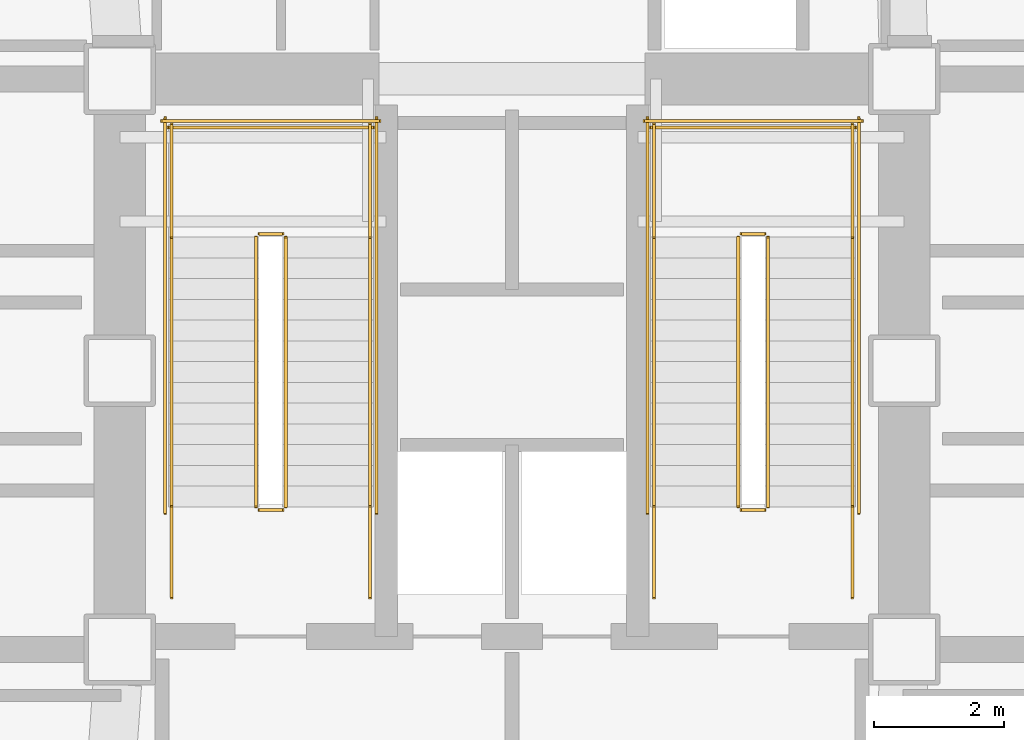
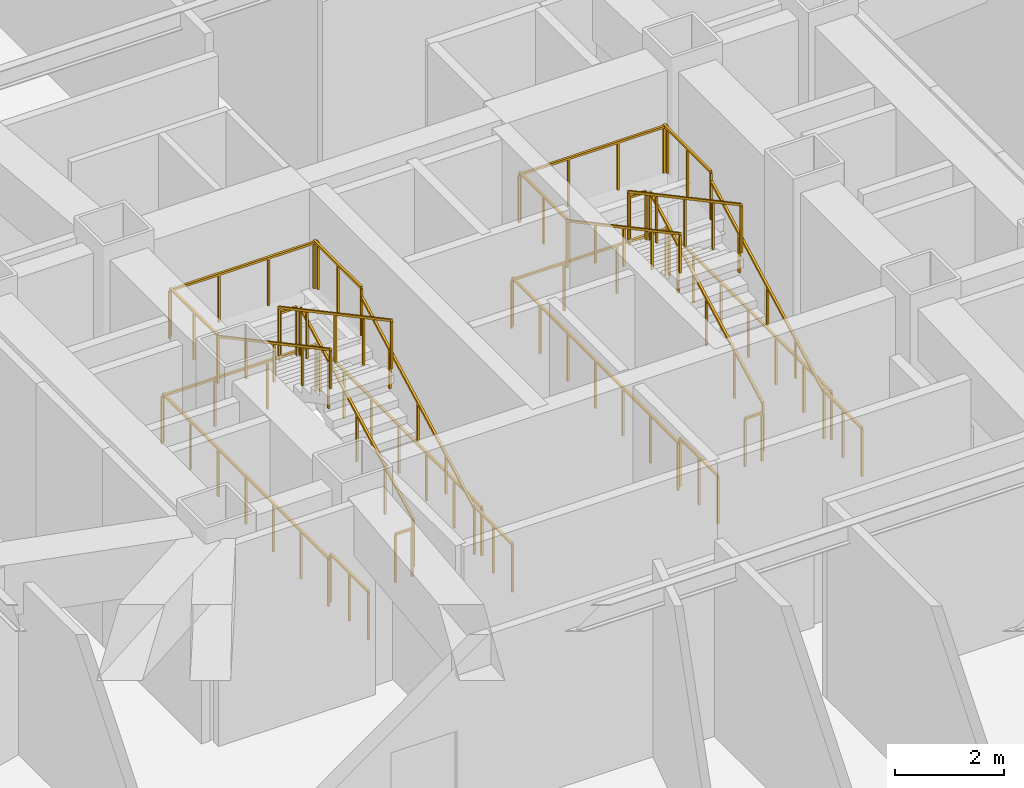
# One storey, part 6 of 6: 28 railings.
"""IFC4 building model written with IfcOpenShell, lengths in metres."""

from ifc_helpers import new_model, si_unit, direction, frame, origin, origin_2d, place, context, subcontext, project, spatial, rectangle, extrude, material, layer, layer_set, type_object, element, save


model = new_model("IFC4")

# Units and contexts
model_context = context("Model", 3, precision=1e-05, world=origin(), true_north=direction((0.0, 1.0)))
body_context = subcontext(model_context, "Body", "Model", "MODEL_VIEW")
ifc_project = project(units=[si_unit("LENGTHUNIT", "METRE"), si_unit("AREAUNIT", "SQUARE_METRE"), si_unit("VOLUMEUNIT", "CUBIC_METRE"), si_unit("PLANEANGLEUNIT", "RADIAN"), si_unit("MASSUNIT", "GRAM", prefix="KILO")], contexts=[model_context])

# Site, building, storey
site_placement = place(None, origin())
site = spatial("IfcSite", under=ifc_project, at=site_placement, CompositionType="ELEMENT")
building_placement = place(site_placement, origin())
building = spatial("IfcBuilding", under=site, at=building_placement, Name="Rocaltana Carrier Exchange", CompositionType="ELEMENT")
storey_placement = place(building_placement, frame((0.0, 0.0, -4.800048828125)))
storey = spatial("IfcBuildingStorey", under=building, at=storey_placement, Name="Upper Basement", CompositionType="ELEMENT", Elevation=-4.800048828125)

# Railings
ifc_material_1 = material(Name="Brushed Architectural Stainless Tube", Category="steel")
ifc_layer_1 = layer(ifc_material_1, 0.048095703125)
ifc_layer_set_1 = layer_set([ifc_layer_1], Name="Brushed Architectural Stainless Tube")
railing_type_1 = type_object("IfcRailingType", Name="Stair Wall Handrail 920", PredefinedType="HANDRAIL", material=ifc_layer_set_1)
railing_1_placement = place(storey_placement, frame((-2.18994140625, -2.10009765625, 0.17138671875)))
element("IfcRailing", 1, at=railing_1_placement, inside=storey, type_object=railing_type_1, Name="Upper Basement ST-1 stair handrail 1", PredefinedType="HANDRAIL", context=body_context, shape_type="SweptSolid", body=[
    extrude(rectangle(XDim=0.048095703125, YDim=0.048095703125, at=origin_2d()), frame((0.0, 0.0, 0.8759765625), z_axis=(0.0, 0.881470741604, 0.472238638504), x_axis=(-1.0, 0.0, 0.0)), (0.0, 0.0, 1.0), 4.719482421875),
    extrude(rectangle(XDim=0.0419921875, YDim=0.0419921875, at=origin_2d()), origin(), (0.0, 0.0, 1.0), 0.851806640625),
    extrude(rectangle(XDim=0.0419921875, YDim=0.0419921875, at=origin_2d()), frame((0.0, 1.0400390625, 0.55712890625)), (0.0, 0.0, 1.0), 0.851806640625),
    extrude(rectangle(XDim=0.0419921875, YDim=0.0419921875, at=origin_2d()), frame((0.0, 2.080078125, 1.1142578125)), (0.0, 0.0, 1.0), 0.851806640625),
    extrude(rectangle(XDim=0.0419921875, YDim=0.0419921875, at=origin_2d()), frame((0.0, 3.1201171875, 1.671630859375)), (0.0, 0.0, 1.0), 0.851806640625),
    extrude(rectangle(XDim=0.0419921875, YDim=0.0419921875, at=origin_2d()), frame((0.0, 4.16015625, 2.228759765625)), (0.0, 0.0, 1.0), 0.851806640625),
])
railing_2_placement = place(storey_placement, frame((-5.25, 2.06005859375, 2.571533203125)))
element("IfcRailing", 2, at=railing_2_placement, inside=storey, type_object=railing_type_1, Name="Upper Basement ST-1 stair handrail 2", PredefinedType="HANDRAIL", context=body_context, shape_type="SweptSolid", body=[
    extrude(rectangle(XDim=0.048095703125, YDim=0.048095703125, at=origin_2d()), frame((0.0, 0.0, 0.8759765625), z_axis=(0.0, -0.881492274372, 0.472198443689), x_axis=(1.0, 0.0, 0.0)), (0.0, 0.0, 1.0), 4.719482421875),
    extrude(rectangle(XDim=0.0419921875, YDim=0.0419921875, at=origin_2d()), origin(), (0.0, 0.0, 1.0), 0.851806640625),
    extrude(rectangle(XDim=0.0419921875, YDim=0.0419921875, at=origin_2d()), frame((0.0, -1.0400390625, 0.55712890625)), (0.0, 0.0, 1.0), 0.851806640625),
    extrude(rectangle(XDim=0.0419921875, YDim=0.0419921875, at=origin_2d()), frame((0.0, -2.080078125, 1.1142578125)), (0.0, 0.0, 1.0), 0.851806640625),
    extrude(rectangle(XDim=0.0419921875, YDim=0.0419921875, at=origin_2d()), frame((0.0, -3.1201171875, 1.67138671875)), (0.0, 0.0, 1.0), 0.851806640625),
    extrude(rectangle(XDim=0.0419921875, YDim=0.0419921875, at=origin_2d()), frame((0.0, -4.16015625, 2.228515625)), (0.0, 0.0, 1.0), 0.851806640625),
])
railing_3_placement = place(storey_placement, frame((5.25, -2.10009765625, 0.17138671875)))
element("IfcRailing", 3, at=railing_3_placement, inside=storey, type_object=railing_type_1, Name="Upper Basement ST-2 stair handrail 1", PredefinedType="HANDRAIL", context=body_context, shape_type="SweptSolid", body=[
    extrude(rectangle(XDim=0.048095703125, YDim=0.048095703125, at=origin_2d()), frame((0.0, 0.0, 0.8759765625), z_axis=(0.0, 0.881470741604, 0.472238638504), x_axis=(-1.0, 0.0, 0.0)), (0.0, 0.0, 1.0), 4.719482421875),
    extrude(rectangle(XDim=0.0419921875, YDim=0.0419921875, at=origin_2d()), origin(), (0.0, 0.0, 1.0), 0.851806640625),
    extrude(rectangle(XDim=0.0419921875, YDim=0.0419921875, at=origin_2d()), frame((0.0, 1.0400390625, 0.55712890625)), (0.0, 0.0, 1.0), 0.851806640625),
    extrude(rectangle(XDim=0.0419921875, YDim=0.0419921875, at=origin_2d()), frame((0.0, 2.080078125, 1.1142578125)), (0.0, 0.0, 1.0), 0.851806640625),
    extrude(rectangle(XDim=0.0419921875, YDim=0.0419921875, at=origin_2d()), frame((0.0, 3.1201171875, 1.671630859375)), (0.0, 0.0, 1.0), 0.851806640625),
    extrude(rectangle(XDim=0.0419921875, YDim=0.0419921875, at=origin_2d()), frame((0.0, 4.16015625, 2.228759765625)), (0.0, 0.0, 1.0), 0.851806640625),
])
railing_4_placement = place(storey_placement, frame((2.18994140625, 2.06005859375, 2.571533203125)))
element("IfcRailing", 4, at=railing_4_placement, inside=storey, type_object=railing_type_1, Name="Upper Basement ST-2 stair handrail 2", PredefinedType="HANDRAIL", context=body_context, shape_type="SweptSolid", body=[
    extrude(rectangle(XDim=0.048095703125, YDim=0.048095703125, at=origin_2d()), frame((0.0, 0.0, 0.8759765625), z_axis=(0.0, -0.881492274372, 0.472198443689), x_axis=(1.0, 0.0, 0.0)), (0.0, 0.0, 1.0), 4.719482421875),
    extrude(rectangle(XDim=0.0419921875, YDim=0.0419921875, at=origin_2d()), origin(), (0.0, 0.0, 1.0), 0.851806640625),
    extrude(rectangle(XDim=0.0419921875, YDim=0.0419921875, at=origin_2d()), frame((0.0, -1.0400390625, 0.55712890625)), (0.0, 0.0, 1.0), 0.851806640625),
    extrude(rectangle(XDim=0.0419921875, YDim=0.0419921875, at=origin_2d()), frame((0.0, -2.080078125, 1.1142578125)), (0.0, 0.0, 1.0), 0.851806640625),
    extrude(rectangle(XDim=0.0419921875, YDim=0.0419921875, at=origin_2d()), frame((0.0, -3.1201171875, 1.67138671875)), (0.0, 0.0, 1.0), 0.851806640625),
    extrude(rectangle(XDim=0.0419921875, YDim=0.0419921875, at=origin_2d()), frame((0.0, -4.16015625, 2.228515625)), (0.0, 0.0, 1.0), 0.851806640625),
])
ifc_material_2 = material(Name="Powder-Coated Aluminium 6063-T6", Category="aluminium")
ifc_layer_2 = layer(ifc_material_2, 0.048095703125)
ifc_layer_set_2 = layer_set([ifc_layer_2], Name="Powder-Coated Aluminium 6063-T6")
railing_type_2 = type_object("IfcRailingType", Name="Stair Well Guardrail 1100", PredefinedType="GUARDRAIL", material=ifc_layer_set_2)
railing_5_placement = place(storey_placement, frame((-3.489990234375, -2.10009765625, 0.17138671875)))
element("IfcRailing", 5, at=railing_5_placement, inside=storey, type_object=railing_type_2, Name="Upper Basement ST-1 stair guard 1", PredefinedType="GUARDRAIL", context=body_context, shape_type="SweptSolid", body=[
    extrude(rectangle(XDim=0.048095703125, YDim=0.048095703125, at=origin_2d()), frame((0.0, 0.0, 1.076171875), z_axis=(0.0, 0.881470741604, 0.472238638504), x_axis=(-1.0, 0.0, 0.0)), (0.0, 0.0, 1.0), 4.719482421875),
    extrude(rectangle(XDim=0.0419921875, YDim=0.0419921875, at=origin_2d()), origin(), (0.0, 0.0, 1.0), 1.052001953125),
    extrude(rectangle(XDim=0.0419921875, YDim=0.0419921875, at=origin_2d()), frame((0.0, 1.0400390625, 0.55712890625)), (0.0, 0.0, 1.0), 1.052001953125),
    extrude(rectangle(XDim=0.0419921875, YDim=0.0419921875, at=origin_2d()), frame((0.0, 2.080078125, 1.1142578125)), (0.0, 0.0, 1.0), 1.052001953125),
    extrude(rectangle(XDim=0.0419921875, YDim=0.0419921875, at=origin_2d()), frame((0.0, 3.1201171875, 1.671630859375)), (0.0, 0.0, 1.0), 1.052001953125),
    extrude(rectangle(XDim=0.0419921875, YDim=0.0419921875, at=origin_2d()), frame((0.0, 4.16015625, 2.228759765625)), (0.0, 0.0, 1.0), 1.052001953125),
])
railing_6_placement = place(storey_placement, frame((-3.5400390625, 2.110107421875, 2.400146484375)))
element("IfcRailing", 6, at=railing_6_placement, inside=storey, type_object=railing_type_2, Name="Upper Basement ST-1 stair guard 2", PredefinedType="GUARDRAIL", context=body_context, shape_type="SweptSolid", body=[
    extrude(rectangle(XDim=0.048095703125, YDim=0.048095703125, at=origin_2d()), frame((0.0, 0.0, 1.076171875), z_axis=(-1.0, 0.0, 0.0), x_axis=(0.0, -1.0, 0.0)), (0.0, 0.0, 1.0), 0.35986328125),
    extrude(rectangle(XDim=0.0419921875, YDim=0.0419921875, at=origin_2d()), origin(), (0.0, 0.0, 1.0), 1.052001953125),
    extrude(rectangle(XDim=0.0419921875, YDim=0.0419921875, at=origin_2d()), frame((-0.35986328125, 0.0, 0.0)), (0.0, 0.0, 1.0), 1.052001953125),
])
for number, where, name in (
    (7, (-2.18994140625, 2.06005859375, 2.400146484375), "Upper Basement ST-1 stair guard 3"),
    (8, (-5.25, 2.06005859375, 2.400146484375), "Upper Basement ST-1 stair guard 4"),
):
    element("IfcRailing", number, at=place(storey_placement, frame(where)), inside=storey, type_object=railing_type_2, Name=name, PredefinedType="GUARDRAIL", context=body_context, shape_type="SweptSolid", body=[
        extrude(rectangle(XDim=0.048095703125, YDim=0.048095703125, at=origin_2d()), frame((0.0, 0.0, 1.076171875), z_axis=(0.0, 1.0, 0.0), x_axis=(-1.0, 0.0, 0.0)), (0.0, 0.0, 1.0), 1.739990234375),
        extrude(rectangle(XDim=0.0419921875, YDim=0.0419921875, at=origin_2d()), origin(), (0.0, 0.0, 1.0), 1.052001953125),
        extrude(rectangle(XDim=0.0419921875, YDim=0.0419921875, at=origin_2d()), frame((0.0, 0.8701171875, 0.0)), (0.0, 0.0, 1.0), 1.052001953125),
        extrude(rectangle(XDim=0.0419921875, YDim=0.0419921875, at=origin_2d()), frame((0.0, 1.739990234375, 0.0)), (0.0, 0.0, 1.0), 1.052001953125),
    ])
railing_7_placement = place(storey_placement, frame((-2.139892578125, 3.75, 2.400146484375)))
element("IfcRailing", 9, at=railing_7_placement, inside=storey, type_object=railing_type_2, Name="Upper Basement ST-1 stair guard 5", PredefinedType="GUARDRAIL", context=body_context, shape_type="SweptSolid", body=[
    extrude(rectangle(XDim=0.048095703125, YDim=0.048095703125, at=origin_2d()), frame((0.0, 0.0, 1.076171875), z_axis=(-1.0, 0.0, 0.0), x_axis=(0.0, -1.0, 0.0)), (0.0, 0.0, 1.0), 3.16015625),
    extrude(rectangle(XDim=0.0419921875, YDim=0.0419921875, at=origin_2d()), origin(), (0.0, 0.0, 1.0), 1.052001953125),
    extrude(rectangle(XDim=0.0419921875, YDim=0.0419921875, at=origin_2d()), frame((-1.053466796875, 0.0, 0.0)), (0.0, 0.0, 1.0), 1.052001953125),
    extrude(rectangle(XDim=0.0419921875, YDim=0.0419921875, at=origin_2d()), frame((-2.106689453125, 0.0, 0.0)), (0.0, 0.0, 1.0), 1.052001953125),
    extrude(rectangle(XDim=0.0419921875, YDim=0.0419921875, at=origin_2d()), frame((-3.16015625, 0.0, 0.0)), (0.0, 0.0, 1.0), 1.052001953125),
])
railing_8_placement = place(storey_placement, frame((-3.949951171875, 2.06005859375, 2.571533203125)))
element("IfcRailing", 10, at=railing_8_placement, inside=storey, type_object=railing_type_2, Name="Upper Basement ST-1 stair guard 6", PredefinedType="GUARDRAIL", context=body_context, shape_type="SweptSolid", body=[
    extrude(rectangle(XDim=0.048095703125, YDim=0.048095703125, at=origin_2d()), frame((0.0, 0.0, 1.076171875), z_axis=(0.0, -0.881492274372, 0.472198443689), x_axis=(1.0, 0.0, 0.0)), (0.0, 0.0, 1.0), 4.719482421875),
    extrude(rectangle(XDim=0.0419921875, YDim=0.0419921875, at=origin_2d()), origin(), (0.0, 0.0, 1.0), 1.052001953125),
    extrude(rectangle(XDim=0.0419921875, YDim=0.0419921875, at=origin_2d()), frame((0.0, -1.0400390625, 0.55712890625)), (0.0, 0.0, 1.0), 1.052001953125),
    extrude(rectangle(XDim=0.0419921875, YDim=0.0419921875, at=origin_2d()), frame((0.0, -2.080078125, 1.1142578125)), (0.0, 0.0, 1.0), 1.052001953125),
    extrude(rectangle(XDim=0.0419921875, YDim=0.0419921875, at=origin_2d()), frame((0.0, -3.1201171875, 1.67138671875)), (0.0, 0.0, 1.0), 1.052001953125),
    extrude(rectangle(XDim=0.0419921875, YDim=0.0419921875, at=origin_2d()), frame((0.0, -4.16015625, 2.228515625)), (0.0, 0.0, 1.0), 1.052001953125),
])
railing_9_placement = place(storey_placement, frame((-3.5400390625, -2.14990234375, 0.0)))
element("IfcRailing", 11, at=railing_9_placement, inside=storey, type_object=railing_type_2, Name="Upper Basement ST-1 stair guard 7", PredefinedType="GUARDRAIL", context=body_context, shape_type="SweptSolid", body=[
    extrude(rectangle(XDim=0.048095703125, YDim=0.048095703125, at=origin_2d()), frame((0.0, 0.0, 1.076171875), z_axis=(-1.0, 0.0, 0.0), x_axis=(0.0, -1.0, 0.0)), (0.0, 0.0, 1.0), 0.35986328125),
    extrude(rectangle(XDim=0.0419921875, YDim=0.0419921875, at=origin_2d()), origin(), (0.0, 0.0, 1.0), 1.052001953125),
    extrude(rectangle(XDim=0.0419921875, YDim=0.0419921875, at=origin_2d()), frame((-0.35986328125, 0.0, 0.0)), (0.0, 0.0, 1.0), 1.052001953125),
])
for number, where, name in (
    (12, (-2.18994140625, -3.5, 0.0), "Upper Basement ST-1 stair guard 8"),
    (13, (-5.25, -3.5, 0.0), "Upper Basement ST-1 stair guard 9"),
):
    element("IfcRailing", number, at=place(storey_placement, frame(where)), inside=storey, type_object=railing_type_2, Name=name, PredefinedType="GUARDRAIL", context=body_context, shape_type="SweptSolid", body=[
        extrude(rectangle(XDim=0.048095703125, YDim=0.048095703125, at=origin_2d()), frame((0.0, 0.0, 1.076171875), z_axis=(0.0, 1.0, 0.0), x_axis=(-1.0, 0.0, 0.0)), (0.0, 0.0, 1.0), 1.39990234375),
        extrude(rectangle(XDim=0.0419921875, YDim=0.0419921875, at=origin_2d()), origin(), (0.0, 0.0, 1.0), 1.052001953125),
        extrude(rectangle(XDim=0.0419921875, YDim=0.0419921875, at=origin_2d()), frame((0.0, 0.699951171875, 0.0)), (0.0, 0.0, 1.0), 1.052001953125),
        extrude(rectangle(XDim=0.0419921875, YDim=0.0419921875, at=origin_2d()), frame((0.0, 1.39990234375, 0.0)), (0.0, 0.0, 1.0), 1.052001953125),
    ])
for number, where, name in (
    (14, (-2.090087890625, -2.199951171875, 0.0), "Upper Basement ST-1 stair guard 10"),
    (15, (-5.35009765625, -2.199951171875, 0.0), "Upper Basement ST-1 stair guard 11"),
):
    element("IfcRailing", number, at=place(storey_placement, frame(where)), inside=storey, type_object=railing_type_2, Name=name, PredefinedType="GUARDRAIL", context=body_context, shape_type="SweptSolid", body=[
        extrude(rectangle(XDim=0.048095703125, YDim=0.048095703125, at=origin_2d()), frame((0.0, 0.0, 1.076171875), z_axis=(0.0, 1.0, 0.0), x_axis=(-1.0, 0.0, 0.0)), (0.0, 0.0, 1.0), 6.099853515625),
        extrude(rectangle(XDim=0.0419921875, YDim=0.0419921875, at=origin_2d()), origin(), (0.0, 0.0, 1.0), 1.052001953125),
        extrude(rectangle(XDim=0.0419921875, YDim=0.0419921875, at=origin_2d()), frame((0.0, 1.0166015625, 0.0)), (0.0, 0.0, 1.0), 1.052001953125),
        extrude(rectangle(XDim=0.0419921875, YDim=0.0419921875, at=origin_2d()), frame((0.0, 2.033203125, 0.0)), (0.0, 0.0, 1.0), 1.052001953125),
        extrude(rectangle(XDim=0.0419921875, YDim=0.0419921875, at=origin_2d()), frame((0.0, 3.0498046875, 0.0)), (0.0, 0.0, 1.0), 1.052001953125),
        extrude(rectangle(XDim=0.0419921875, YDim=0.0419921875, at=origin_2d()), frame((0.0, 4.066650390625, 0.0)), (0.0, 0.0, 1.0), 1.052001953125),
        extrude(rectangle(XDim=0.0419921875, YDim=0.0419921875, at=origin_2d()), frame((0.0, 5.083251953125, 0.0)), (0.0, 0.0, 1.0), 1.052001953125),
        extrude(rectangle(XDim=0.0419921875, YDim=0.0419921875, at=origin_2d()), frame((0.0, 6.099853515625, 0.0)), (0.0, 0.0, 1.0), 1.052001953125),
    ])
railing_10_placement = place(storey_placement, frame((-2.0400390625, 3.85009765625, 0.0)))
element("IfcRailing", 16, at=railing_10_placement, inside=storey, type_object=railing_type_2, Name="Upper Basement ST-1 stair guard 12", PredefinedType="GUARDRAIL", context=body_context, shape_type="SweptSolid", body=[
    extrude(rectangle(XDim=0.048095703125, YDim=0.048095703125, at=origin_2d()), frame((0.0, 0.0, 1.076171875), z_axis=(-1.0, 0.0, 0.0), x_axis=(0.0, -1.0, 0.0)), (0.0, 0.0, 1.0), 3.35986328125),
    extrude(rectangle(XDim=0.0419921875, YDim=0.0419921875, at=origin_2d()), origin(), (0.0, 0.0, 1.0), 1.052001953125),
    extrude(rectangle(XDim=0.0419921875, YDim=0.0419921875, at=origin_2d()), frame((-1.119873046875, 0.0, 0.0)), (0.0, 0.0, 1.0), 1.052001953125),
    extrude(rectangle(XDim=0.0419921875, YDim=0.0419921875, at=origin_2d()), frame((-2.239990234375, 0.0, 0.0)), (0.0, 0.0, 1.0), 1.052001953125),
    extrude(rectangle(XDim=0.0419921875, YDim=0.0419921875, at=origin_2d()), frame((-3.35986328125, 0.0, 0.0)), (0.0, 0.0, 1.0), 1.052001953125),
])
railing_11_placement = place(storey_placement, frame((3.949951171875, -2.10009765625, 0.17138671875)))
element("IfcRailing", 17, at=railing_11_placement, inside=storey, type_object=railing_type_2, Name="Upper Basement ST-2 stair guard 1", PredefinedType="GUARDRAIL", context=body_context, shape_type="SweptSolid", body=[
    extrude(rectangle(XDim=0.048095703125, YDim=0.048095703125, at=origin_2d()), frame((0.0, 0.0, 1.076171875), z_axis=(0.0, 0.881470741604, 0.472238638504), x_axis=(-1.0, 0.0, 0.0)), (0.0, 0.0, 1.0), 4.719482421875),
    extrude(rectangle(XDim=0.0419921875, YDim=0.0419921875, at=origin_2d()), origin(), (0.0, 0.0, 1.0), 1.052001953125),
    extrude(rectangle(XDim=0.0419921875, YDim=0.0419921875, at=origin_2d()), frame((0.0, 1.0400390625, 0.55712890625)), (0.0, 0.0, 1.0), 1.052001953125),
    extrude(rectangle(XDim=0.0419921875, YDim=0.0419921875, at=origin_2d()), frame((0.0, 2.080078125, 1.1142578125)), (0.0, 0.0, 1.0), 1.052001953125),
    extrude(rectangle(XDim=0.0419921875, YDim=0.0419921875, at=origin_2d()), frame((0.0, 3.1201171875, 1.671630859375)), (0.0, 0.0, 1.0), 1.052001953125),
    extrude(rectangle(XDim=0.0419921875, YDim=0.0419921875, at=origin_2d()), frame((0.0, 4.16015625, 2.228759765625)), (0.0, 0.0, 1.0), 1.052001953125),
])
railing_12_placement = place(storey_placement, frame((3.89990234375, 2.110107421875, 2.400146484375)))
element("IfcRailing", 18, at=railing_12_placement, inside=storey, type_object=railing_type_2, Name="Upper Basement ST-2 stair guard 2", PredefinedType="GUARDRAIL", context=body_context, shape_type="SweptSolid", body=[
    extrude(rectangle(XDim=0.048095703125, YDim=0.048095703125, at=origin_2d()), frame((0.0, 0.0, 1.076171875), z_axis=(-1.0, 0.0, 0.0), x_axis=(0.0, -1.0, 0.0)), (0.0, 0.0, 1.0), 0.35986328125),
    extrude(rectangle(XDim=0.0419921875, YDim=0.0419921875, at=origin_2d()), origin(), (0.0, 0.0, 1.0), 1.052001953125),
    extrude(rectangle(XDim=0.0419921875, YDim=0.0419921875, at=origin_2d()), frame((-0.35986328125, 0.0, 0.0)), (0.0, 0.0, 1.0), 1.052001953125),
])
for number, where, name in (
    (19, (5.25, 2.06005859375, 2.400146484375), "Upper Basement ST-2 stair guard 3"),
    (20, (2.18994140625, 2.06005859375, 2.400146484375), "Upper Basement ST-2 stair guard 4"),
):
    element("IfcRailing", number, at=place(storey_placement, frame(where)), inside=storey, type_object=railing_type_2, Name=name, PredefinedType="GUARDRAIL", context=body_context, shape_type="SweptSolid", body=[
        extrude(rectangle(XDim=0.048095703125, YDim=0.048095703125, at=origin_2d()), frame((0.0, 0.0, 1.076171875), z_axis=(0.0, 1.0, 0.0), x_axis=(-1.0, 0.0, 0.0)), (0.0, 0.0, 1.0), 1.739990234375),
        extrude(rectangle(XDim=0.0419921875, YDim=0.0419921875, at=origin_2d()), origin(), (0.0, 0.0, 1.0), 1.052001953125),
        extrude(rectangle(XDim=0.0419921875, YDim=0.0419921875, at=origin_2d()), frame((0.0, 0.8701171875, 0.0)), (0.0, 0.0, 1.0), 1.052001953125),
        extrude(rectangle(XDim=0.0419921875, YDim=0.0419921875, at=origin_2d()), frame((0.0, 1.739990234375, 0.0)), (0.0, 0.0, 1.0), 1.052001953125),
    ])
railing_13_placement = place(storey_placement, frame((5.300048828125, 3.75, 2.400146484375)))
element("IfcRailing", 21, at=railing_13_placement, inside=storey, type_object=railing_type_2, Name="Upper Basement ST-2 stair guard 5", PredefinedType="GUARDRAIL", context=body_context, shape_type="SweptSolid", body=[
    extrude(rectangle(XDim=0.048095703125, YDim=0.048095703125, at=origin_2d()), frame((0.0, 0.0, 1.076171875), z_axis=(-1.0, 0.0, 0.0), x_axis=(0.0, -1.0, 0.0)), (0.0, 0.0, 1.0), 3.16015625),
    extrude(rectangle(XDim=0.0419921875, YDim=0.0419921875, at=origin_2d()), origin(), (0.0, 0.0, 1.0), 1.052001953125),
    extrude(rectangle(XDim=0.0419921875, YDim=0.0419921875, at=origin_2d()), frame((-1.053466796875, 0.0, 0.0)), (0.0, 0.0, 1.0), 1.052001953125),
    extrude(rectangle(XDim=0.0419921875, YDim=0.0419921875, at=origin_2d()), frame((-2.106689453125, 0.0, 0.0)), (0.0, 0.0, 1.0), 1.052001953125),
    extrude(rectangle(XDim=0.0419921875, YDim=0.0419921875, at=origin_2d()), frame((-3.16015625, 0.0, 0.0)), (0.0, 0.0, 1.0), 1.052001953125),
])
railing_14_placement = place(storey_placement, frame((3.489990234375, 2.06005859375, 2.571533203125)))
element("IfcRailing", 22, at=railing_14_placement, inside=storey, type_object=railing_type_2, Name="Upper Basement ST-2 stair guard 6", PredefinedType="GUARDRAIL", context=body_context, shape_type="SweptSolid", body=[
    extrude(rectangle(XDim=0.048095703125, YDim=0.048095703125, at=origin_2d()), frame((0.0, 0.0, 1.076171875), z_axis=(0.0, -0.881492274372, 0.472198443689), x_axis=(1.0, 0.0, 0.0)), (0.0, 0.0, 1.0), 4.719482421875),
    extrude(rectangle(XDim=0.0419921875, YDim=0.0419921875, at=origin_2d()), origin(), (0.0, 0.0, 1.0), 1.052001953125),
    extrude(rectangle(XDim=0.0419921875, YDim=0.0419921875, at=origin_2d()), frame((0.0, -1.0400390625, 0.55712890625)), (0.0, 0.0, 1.0), 1.052001953125),
    extrude(rectangle(XDim=0.0419921875, YDim=0.0419921875, at=origin_2d()), frame((0.0, -2.080078125, 1.1142578125)), (0.0, 0.0, 1.0), 1.052001953125),
    extrude(rectangle(XDim=0.0419921875, YDim=0.0419921875, at=origin_2d()), frame((0.0, -3.1201171875, 1.67138671875)), (0.0, 0.0, 1.0), 1.052001953125),
    extrude(rectangle(XDim=0.0419921875, YDim=0.0419921875, at=origin_2d()), frame((0.0, -4.16015625, 2.228515625)), (0.0, 0.0, 1.0), 1.052001953125),
])
railing_15_placement = place(storey_placement, frame((3.89990234375, -2.14990234375, 0.0)))
element("IfcRailing", 23, at=railing_15_placement, inside=storey, type_object=railing_type_2, Name="Upper Basement ST-2 stair guard 7", PredefinedType="GUARDRAIL", context=body_context, shape_type="SweptSolid", body=[
    extrude(rectangle(XDim=0.048095703125, YDim=0.048095703125, at=origin_2d()), frame((0.0, 0.0, 1.076171875), z_axis=(-1.0, 0.0, 0.0), x_axis=(0.0, -1.0, 0.0)), (0.0, 0.0, 1.0), 0.35986328125),
    extrude(rectangle(XDim=0.0419921875, YDim=0.0419921875, at=origin_2d()), origin(), (0.0, 0.0, 1.0), 1.052001953125),
    extrude(rectangle(XDim=0.0419921875, YDim=0.0419921875, at=origin_2d()), frame((-0.35986328125, 0.0, 0.0)), (0.0, 0.0, 1.0), 1.052001953125),
])
for number, where, name in (
    (24, (5.25, -3.5, 0.0), "Upper Basement ST-2 stair guard 8"),
    (25, (2.18994140625, -3.5, 0.0), "Upper Basement ST-2 stair guard 9"),
):
    element("IfcRailing", number, at=place(storey_placement, frame(where)), inside=storey, type_object=railing_type_2, Name=name, PredefinedType="GUARDRAIL", context=body_context, shape_type="SweptSolid", body=[
        extrude(rectangle(XDim=0.048095703125, YDim=0.048095703125, at=origin_2d()), frame((0.0, 0.0, 1.076171875), z_axis=(0.0, 1.0, 0.0), x_axis=(-1.0, 0.0, 0.0)), (0.0, 0.0, 1.0), 1.39990234375),
        extrude(rectangle(XDim=0.0419921875, YDim=0.0419921875, at=origin_2d()), origin(), (0.0, 0.0, 1.0), 1.052001953125),
        extrude(rectangle(XDim=0.0419921875, YDim=0.0419921875, at=origin_2d()), frame((0.0, 0.699951171875, 0.0)), (0.0, 0.0, 1.0), 1.052001953125),
        extrude(rectangle(XDim=0.0419921875, YDim=0.0419921875, at=origin_2d()), frame((0.0, 1.39990234375, 0.0)), (0.0, 0.0, 1.0), 1.052001953125),
    ])
for number, where, name in (
    (26, (5.35009765625, -2.199951171875, 0.0), "Upper Basement ST-2 stair guard 10"),
    (27, (2.090087890625, -2.199951171875, 0.0), "Upper Basement ST-2 stair guard 11"),
):
    element("IfcRailing", number, at=place(storey_placement, frame(where)), inside=storey, type_object=railing_type_2, Name=name, PredefinedType="GUARDRAIL", context=body_context, shape_type="SweptSolid", body=[
        extrude(rectangle(XDim=0.048095703125, YDim=0.048095703125, at=origin_2d()), frame((0.0, 0.0, 1.076171875), z_axis=(0.0, 1.0, 0.0), x_axis=(-1.0, 0.0, 0.0)), (0.0, 0.0, 1.0), 6.099853515625),
        extrude(rectangle(XDim=0.0419921875, YDim=0.0419921875, at=origin_2d()), origin(), (0.0, 0.0, 1.0), 1.052001953125),
        extrude(rectangle(XDim=0.0419921875, YDim=0.0419921875, at=origin_2d()), frame((0.0, 1.0166015625, 0.0)), (0.0, 0.0, 1.0), 1.052001953125),
        extrude(rectangle(XDim=0.0419921875, YDim=0.0419921875, at=origin_2d()), frame((0.0, 2.033203125, 0.0)), (0.0, 0.0, 1.0), 1.052001953125),
        extrude(rectangle(XDim=0.0419921875, YDim=0.0419921875, at=origin_2d()), frame((0.0, 3.0498046875, 0.0)), (0.0, 0.0, 1.0), 1.052001953125),
        extrude(rectangle(XDim=0.0419921875, YDim=0.0419921875, at=origin_2d()), frame((0.0, 4.066650390625, 0.0)), (0.0, 0.0, 1.0), 1.052001953125),
        extrude(rectangle(XDim=0.0419921875, YDim=0.0419921875, at=origin_2d()), frame((0.0, 5.083251953125, 0.0)), (0.0, 0.0, 1.0), 1.052001953125),
        extrude(rectangle(XDim=0.0419921875, YDim=0.0419921875, at=origin_2d()), frame((0.0, 6.099853515625, 0.0)), (0.0, 0.0, 1.0), 1.052001953125),
    ])
railing_16_placement = place(storey_placement, frame((5.39990234375, 3.85009765625, 0.0)))
element("IfcRailing", 28, at=railing_16_placement, inside=storey, type_object=railing_type_2, Name="Upper Basement ST-2 stair guard 12", PredefinedType="GUARDRAIL", context=body_context, shape_type="SweptSolid", body=[
    extrude(rectangle(XDim=0.048095703125, YDim=0.048095703125, at=origin_2d()), frame((0.0, 0.0, 1.076171875), z_axis=(-1.0, 0.0, 0.0), x_axis=(0.0, -1.0, 0.0)), (0.0, 0.0, 1.0), 3.35986328125),
    extrude(rectangle(XDim=0.0419921875, YDim=0.0419921875, at=origin_2d()), origin(), (0.0, 0.0, 1.0), 1.052001953125),
    extrude(rectangle(XDim=0.0419921875, YDim=0.0419921875, at=origin_2d()), frame((-1.119873046875, 0.0, 0.0)), (0.0, 0.0, 1.0), 1.052001953125),
    extrude(rectangle(XDim=0.0419921875, YDim=0.0419921875, at=origin_2d()), frame((-2.239990234375, 0.0, 0.0)), (0.0, 0.0, 1.0), 1.052001953125),
    extrude(rectangle(XDim=0.0419921875, YDim=0.0419921875, at=origin_2d()), frame((-3.35986328125, 0.0, 0.0)), (0.0, 0.0, 1.0), 1.052001953125),
])

save(model, "model.ifc")
